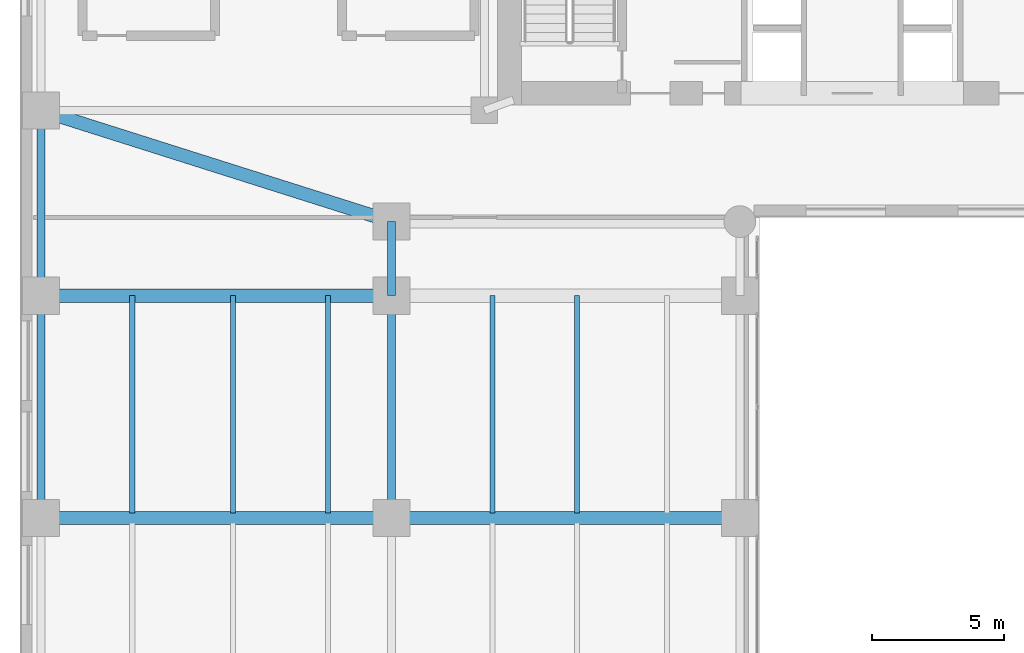
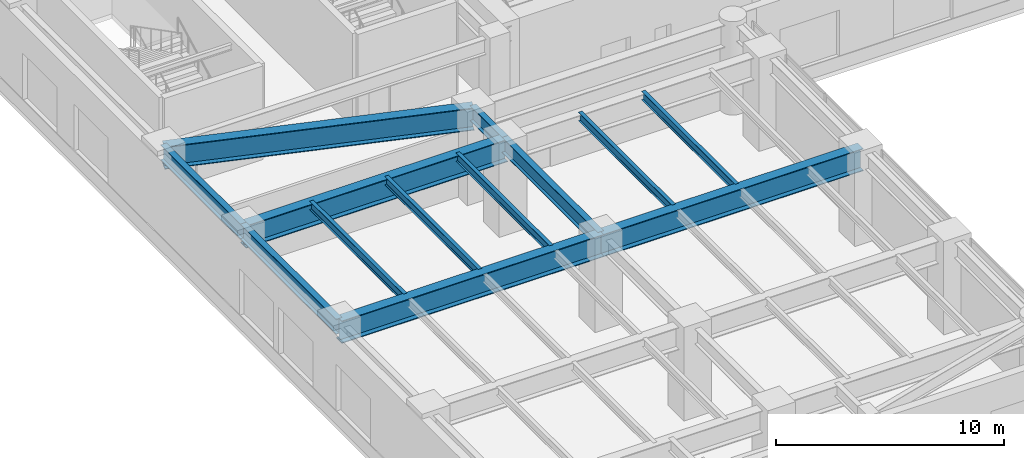
# One storey, part 5 of 24: 13 beams.
"""IFC4 building model written with IfcOpenShell, lengths in metres."""

from ifc_helpers import new_model, si_unit, direction, frame, origin, origin_2d, place, context, subcontext, project, spatial, i_section, extrude, source, transform, mapped, material, material_profile, profile_set, type_object, type_shapes, element, save


model = new_model("IFC4")

# Units and contexts
model_context = context("Model", 3, precision=1e-05, world=origin(), true_north=direction((0.0, 1.0)))
body_context = subcontext(model_context, "Body", "Model", "MODEL_VIEW")
ifc_project = project(units=[si_unit("LENGTHUNIT", "METRE"), si_unit("AREAUNIT", "SQUARE_METRE"), si_unit("VOLUMEUNIT", "CUBIC_METRE"), si_unit("PLANEANGLEUNIT", "RADIAN"), si_unit("MASSUNIT", "GRAM", prefix="KILO")], contexts=[model_context])

# Site, building, storey
site_placement = place(None, origin())
site = spatial("IfcSite", under=ifc_project, at=site_placement, CompositionType="ELEMENT")
building_placement = place(site_placement, origin())
building = spatial("IfcBuilding", under=site, at=building_placement, Name="Tolvann Quenvar Hotel", CompositionType="ELEMENT")
storey_placement = place(building_placement, frame((0.0, 0.0, 6.0)))
storey = spatial("IfcBuildingStorey", under=building, at=storey_placement, Name="L01", CompositionType="ELEMENT", Elevation=6.0)

# Beams
ifc_material = material(Name="Steel Grade 350", Category="steel")
ifc_material_profile_1 = material_profile(ifc_material, i_section(OverallWidth=0.5, OverallDepth=1.199951171875, WebThickness=0.01611328125, FlangeThickness=0.0400390625, at=origin_2d()), Name="1200WB455")
ifc_profile_set_1 = profile_set([ifc_material_profile_1], Name="Steel Grade 350")
beam_type_1 = type_object("IfcBeamType", Name="BM_TG_1200WB455", PredefinedType="USERDEFINED", material=ifc_profile_set_1)
shared_shape_1 = source(origin(), body_context, "Body", "SweptSolid", [
    extrude(i_section(OverallWidth=0.5, OverallDepth=1.199951171875, WebThickness=0.01611328125, FlangeThickness=0.0400390625, at=origin_2d()), origin(), (0.0, 0.0, 1.0), 13.25),
])
for number, where, z_axis, x_axis, name in (
    (1, (-7.64990234375, 16.0, 4.139892578125), (1.0, 0.0, 0.0), (0.0, 1.0, 0.0), "BM-L01-GW1-3"),
    (2, (-7.64990234375, 24.39990234375, 4.139892578125), (1.0, 0.0, 0.0), (0.0, 1.0, 0.0), "BM-L01-GW1-4"),
):
    element("IfcBeam", number, at=place(storey_placement, frame(where, z_axis=z_axis, x_axis=x_axis)), inside=storey, type_object=beam_type_1, Name=name, ObjectType="TRANSFER GIRDER", PredefinedType="USERDEFINED", context=body_context, shape_type="MappedRepresentation", body=[
        mapped(shared_shape_1, transform((0.0, 0.0, 0.0), x_axis=(1.0, 0.0, 0.0), y_axis=(0.0, 1.0, 0.0), z_axis=(0.0, 0.0, 1.0), scale=1.0)),
    ])
shared_shape_2 = source(origin(), body_context, "Body", "SweptSolid", [
    extrude(i_section(OverallWidth=0.5, OverallDepth=1.199951171875, WebThickness=0.01611328125, FlangeThickness=0.0400390625, at=origin_2d()), origin(), (0.0, 0.0, 1.0), 13.14990234375),
])
beam_1_placement = place(storey_placement, frame((5.60009765625, 16.0, 4.139892578125), z_axis=(1.0, 0.0, 0.0), x_axis=(0.0, 1.0, 0.0)))
element("IfcBeam", 3, at=beam_1_placement, inside=storey, type_object=beam_type_1, Name="BM-L01-GW2-3", ObjectType="TRANSFER GIRDER", PredefinedType="USERDEFINED", context=body_context, shape_type="MappedRepresentation", body=[
    mapped(shared_shape_2, transform((0.0, 0.0, 0.0), x_axis=(1.0, 0.0, 0.0), y_axis=(0.0, 1.0, 0.0), z_axis=(0.0, 0.0, 1.0), scale=1.0)),
])
shared_shape_3 = source(origin(), body_context, "Body", "SweptSolid", [
    extrude(i_section(OverallWidth=0.5, OverallDepth=1.199951171875, WebThickness=0.01611328125, FlangeThickness=0.0400390625, at=origin_2d()), origin(), (0.0, 0.0, 1.0), 13.899658203125),
])
type_shapes(beam_type_1, [shared_shape_1, shared_shape_2, shared_shape_3])
beam_2_placement = place(storey_placement, frame((-7.64990234375, 31.39990234375, 4.139892578125), z_axis=(0.953256923778, -0.302160945971, 0.0), x_axis=(0.302160945971, 0.953256923778, 0.0)))
element("IfcBeam", 4, at=beam_2_placement, inside=storey, type_object=beam_type_1, Name="BM-L01-GW1-5", ObjectType="TRANSFER GIRDER", PredefinedType="USERDEFINED", context=body_context, shape_type="MappedRepresentation", body=[
    mapped(shared_shape_3, transform((0.0, 0.0, 0.0), x_axis=(1.0, 0.0, 0.0), y_axis=(0.0, 1.0, 0.0), z_axis=(0.0, 0.0, 1.0), scale=1.0)),
])
ifc_material_profile_2 = material_profile(ifc_material, i_section(OverallWidth=0.300048828125, OverallDepth=0.81591796875, WebThickness=0.010009765625, FlangeThickness=0.028076171875, at=origin_2d()), Name="800WB192")
ifc_profile_set_2 = profile_set([ifc_material_profile_2], Name="Steel Grade 350")
beam_type_2 = type_object("IfcBeamType", Name="BM_GIRD_800WB192", PredefinedType="BEAM", material=ifc_profile_set_2)
shared_shape_4 = source(origin(), body_context, "Body", "SweptSolid", [
    extrude(i_section(OverallWidth=0.300048828125, OverallDepth=0.81591796875, WebThickness=0.010009765625, FlangeThickness=0.028076171875, at=origin_2d()), origin(), (0.0, 0.0, 1.0), 8.39990234375),
])
for number, where, z_axis, x_axis, name in (
    (5, (5.60009765625, 16.0, 4.33203125), (0.0, 1.0, 0.0), (-1.0, 0.0, 0.0), "BM-L01-NS-PBAL-2"),
    (6, (-7.64990234375, 16.0, 4.33203125), (0.0, 1.0, 0.0), (-1.0, 0.0, 0.0), "BM-L01-NS-A-2"),
):
    element("IfcBeam", number, at=place(storey_placement, frame(where, z_axis=z_axis, x_axis=x_axis)), inside=storey, type_object=beam_type_2, Name=name, PredefinedType="BEAM", context=body_context, shape_type="MappedRepresentation", body=[
        mapped(shared_shape_4, transform((0.0, 0.0, 0.0), x_axis=(1.0, 0.0, 0.0), y_axis=(0.0, 1.0, 0.0), z_axis=(0.0, 0.0, 1.0), scale=1.0)),
    ])
shared_shape_5 = source(origin(), body_context, "Body", "SweptSolid", [
    extrude(i_section(OverallWidth=0.300048828125, OverallDepth=0.81591796875, WebThickness=0.010009765625, FlangeThickness=0.028076171875, at=origin_2d()), origin(), (0.0, 0.0, 1.0), 2.800048828125),
])
beam_3_placement = place(storey_placement, frame((5.60009765625, 24.39990234375, 4.33203125), z_axis=(0.0, 1.0, 0.0), x_axis=(-1.0, 0.0, 0.0)))
element("IfcBeam", 7, at=beam_3_placement, inside=storey, type_object=beam_type_2, Name="BM-L01-NS-PBAL-3", PredefinedType="BEAM", context=body_context, shape_type="MappedRepresentation", body=[
    mapped(shared_shape_5, transform((0.0, 0.0, 0.0), x_axis=(1.0, 0.0, 0.0), y_axis=(0.0, 1.0, 0.0), z_axis=(0.0, 0.0, 1.0), scale=1.0)),
])
shared_shape_6 = source(origin(), body_context, "Body", "SweptSolid", [
    extrude(i_section(OverallWidth=0.300048828125, OverallDepth=0.81591796875, WebThickness=0.010009765625, FlangeThickness=0.028076171875, at=origin_2d()), origin(), (0.0, 0.0, 1.0), 7.0),
])
type_shapes(beam_type_2, [shared_shape_4, shared_shape_5, shared_shape_6])
beam_4_placement = place(storey_placement, frame((-7.64990234375, 24.39990234375, 4.33203125), z_axis=(0.0, 1.0, 0.0), x_axis=(-1.0, 0.0, 0.0)))
element("IfcBeam", 8, at=beam_4_placement, inside=storey, type_object=beam_type_2, Name="BM-L01-NS-A-3", PredefinedType="BEAM", context=body_context, shape_type="MappedRepresentation", body=[
    mapped(shared_shape_6, transform((0.0, 0.0, 0.0), x_axis=(1.0, 0.0, 0.0), y_axis=(0.0, 1.0, 0.0), z_axis=(0.0, 0.0, 1.0), scale=1.0)),
])
ifc_material_profile_3 = material_profile(ifc_material, i_section(OverallWidth=0.18994140625, OverallDepth=0.4541015625, WebThickness=0.008544921875, FlangeThickness=0.0126953125, FilletRadius=0.011474609375, at=origin_2d()), Name="460UB67")
ifc_profile_set_3 = profile_set([ifc_material_profile_3], Name="Steel Grade 350")
beam_type_3 = type_object("IfcBeamType", Name="BM_JOIST_460UB67", PredefinedType="JOIST", material=ifc_profile_set_3)
shared_shape_7 = source(origin(), body_context, "Body", "SweptSolid", [
    extrude(i_section(OverallWidth=0.18994140625, OverallDepth=0.4541015625, WebThickness=0.008544921875, FlangeThickness=0.0126953125, FilletRadius=0.011474609375, at=origin_2d()), origin(), (0.0, 0.0, 1.0), 8.21484375),
])
type_shapes(beam_type_3, [shared_shape_7])
for number, where, z_axis, x_axis, name in (
    (9, (-4.199951171875, 16.18505859375, 4.512939453125), (0.0, 1.0, 0.0), (-1.0, 0.0, 0.0), "BJ-L01--42-160"),
    (10, (-0.39990234375, 16.18505859375, 4.512939453125), (0.0, 1.0, 0.0), (-1.0, 0.0, 0.0), "BJ-L01--4-160"),
    (11, (3.199951171875, 16.18505859375, 4.512939453125), (0.0, 1.0, 0.0), (-1.0, 0.0, 0.0), "BJ-L01-32-160"),
    (12, (9.39990234375, 16.18505859375, 4.512939453125), (0.0, 1.0, 0.0), (-1.0, 0.0, 0.0), "BJ-L01-94-160"),
    (13, (12.60009765625, 16.18505859375, 4.512939453125), (0.0, 1.0, 0.0), (-1.0, 0.0, 0.0), "BJ-L01-126-160"),
):
    element("IfcBeam", number, at=place(storey_placement, frame(where, z_axis=z_axis, x_axis=x_axis)), inside=storey, type_object=beam_type_3, Name=name, PredefinedType="JOIST", context=body_context, shape_type="MappedRepresentation", body=[
        mapped(shared_shape_7, transform((0.0, 0.0, 0.0), x_axis=(1.0, 0.0, 0.0), y_axis=(0.0, 1.0, 0.0), z_axis=(0.0, 0.0, 1.0), scale=1.0)),
    ])

save(model, "model.ifc")
